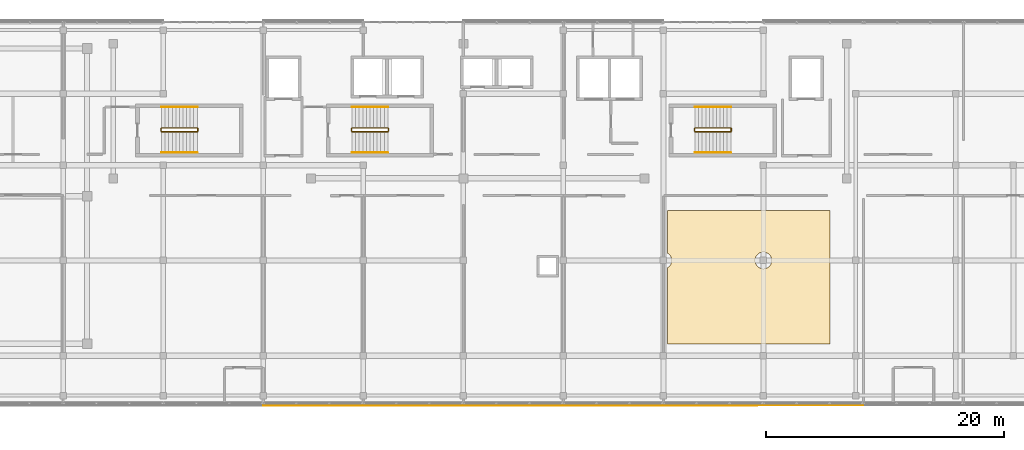
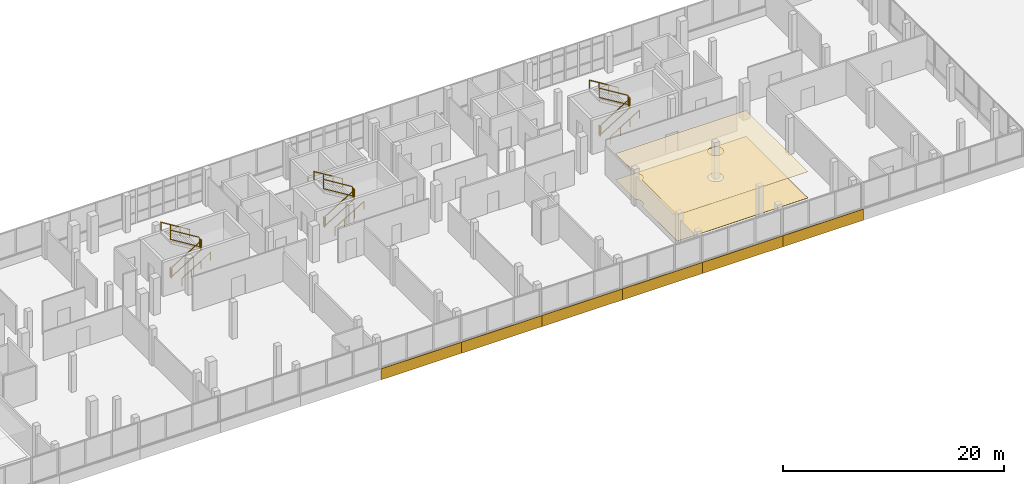
# One storey, part 64 of 66: 18 railings, 8 coverings.
"""IFC4 building model written with IfcOpenShell, lengths in metres."""

from ifc_helpers import new_model, si_unit, direction, frame, origin, origin_2d, place, context, subcontext, project, spatial, polyline, rectangle, circle, outline, extrude, material, layer, layer_set, type_object, element, save


model = new_model("IFC4")

# Units and contexts
model_context = context("Model", 3, precision=1e-05, world=origin(), true_north=direction((0.0, 1.0)))
body_context = subcontext(model_context, "Body", "Model", "MODEL_VIEW")
ifc_project = project(units=[si_unit("LENGTHUNIT", "METRE"), si_unit("AREAUNIT", "SQUARE_METRE"), si_unit("VOLUMEUNIT", "CUBIC_METRE"), si_unit("PLANEANGLEUNIT", "RADIAN"), si_unit("MASSUNIT", "GRAM", prefix="KILO")], contexts=[model_context])

# Site, building, storey
site_placement = place(None, origin())
site = spatial("IfcSite", under=ifc_project, at=site_placement, CompositionType="ELEMENT")
building_placement = place(site_placement, origin())
building = spatial("IfcBuilding", under=site, at=building_placement, Name="Selatvlak General Hospital", CompositionType="ELEMENT")
storey_placement = place(building_placement, frame((0.0, 0.0, 31.35009765625)))
storey = spatial("IfcBuildingStorey", under=building, at=storey_placement, Name="L07", CompositionType="ELEMENT", Elevation=31.35009765625)

# Coverings
ifc_material_1 = material(Name="Acoustic mineral fibre ceiling tile")
ifc_layer_1 = layer(ifc_material_1, 0.02490234375, Name="Acoustic mineral fibre ceiling tile")
ifc_layer_set_1 = layer_set([ifc_layer_1], Name="Acoustic mineral fibre ceiling tile")
covering_type_1 = type_object("IfcCoveringType", Name="COV-CEIL1", PredefinedType="CEILING", material=ifc_layer_set_1)
covering_1_placement = place(storey_placement, frame((0.0, 0.0, 2.885009765625)))
element("IfcCovering", 1, at=covering_1_placement, inside=storey, type_object=covering_type_1, Name="L07 clinical acoustic ceiling 016", PredefinedType="CEILING", context=body_context, shape_type="SweptSolid", body=[
    extrude(outline(polyline([(146.0, 104.199951171875), (146.0, 93.0), (132.35009765625, 93.0), (132.35009765625, 99.39501953125), (132.388916015625, 99.41796875), (132.444091796875, 99.458984375), (132.4951171875, 99.5048828125), (132.541015625, 99.555908203125), (132.58203125, 99.611083984375), (132.616943359375, 99.669921875), (132.64697265625, 99.73193359375), (132.669921875, 99.797119140625), (132.68701171875, 99.863037109375), (132.697021484375, 99.930908203125), (132.699951171875, 100.0), (132.697021484375, 100.069091796875), (132.68701171875, 100.136962890625), (132.669921875, 100.202880859375), (132.64697265625, 100.26806640625), (132.616943359375, 100.330078125), (132.58203125, 100.388916015625), (132.541015625, 100.444091796875), (132.4951171875, 100.4951171875), (132.444091796875, 100.541015625), (132.388916015625, 100.58203125), (132.35009765625, 100.60498046875), (132.35009765625, 104.199951171875), (146.0, 104.199951171875)]), holes=[polyline([(140.94091796875, 99.555908203125), (140.98193359375, 99.611083984375), (141.01708984375, 99.669921875), (141.047119140625, 99.73193359375), (141.070068359375, 99.797119140625), (141.0869140625, 99.863037109375), (141.096923828125, 99.930908203125), (141.10009765625, 100.0), (141.096923828125, 100.069091796875), (141.0869140625, 100.136962890625), (141.070068359375, 100.202880859375), (141.047119140625, 100.26806640625), (141.01708984375, 100.330078125), (140.98193359375, 100.388916015625), (140.94091796875, 100.444091796875), (140.89501953125, 100.4951171875), (140.843994140625, 100.541015625), (140.7890625, 100.58203125), (140.72998046875, 100.616943359375), (140.66796875, 100.64697265625), (140.60302734375, 100.669921875), (140.537109375, 100.68701171875), (140.468994140625, 100.697021484375), (140.39990234375, 100.699951171875), (140.3310546875, 100.697021484375), (140.262939453125, 100.68701171875), (140.197021484375, 100.669921875), (140.132080078125, 100.64697265625), (140.070068359375, 100.616943359375), (140.010986328125, 100.58203125), (139.9560546875, 100.541015625), (139.905029296875, 100.4951171875), (139.85888671875, 100.444091796875), (139.818115234375, 100.388916015625), (139.782958984375, 100.330078125), (139.7529296875, 100.26806640625), (139.72998046875, 100.202880859375), (139.712890625, 100.136962890625), (139.702880859375, 100.069091796875), (139.699951171875, 100.0), (139.702880859375, 99.930908203125), (139.712890625, 99.863037109375), (139.72998046875, 99.797119140625), (139.7529296875, 99.73193359375), (139.782958984375, 99.669921875), (139.818115234375, 99.611083984375), (139.85888671875, 99.555908203125), (139.905029296875, 99.5048828125), (139.9560546875, 99.458984375), (140.010986328125, 99.41796875), (140.070068359375, 99.383056640625), (140.132080078125, 99.35302734375), (140.197021484375, 99.330078125), (140.262939453125, 99.31298828125), (140.3310546875, 99.302978515625), (140.39990234375, 99.300048828125), (140.468994140625, 99.302978515625), (140.537109375, 99.31298828125), (140.60302734375, 99.330078125), (140.66796875, 99.35302734375), (140.72998046875, 99.383056640625), (140.7890625, 99.41796875), (140.843994140625, 99.458984375), (140.89501953125, 99.5048828125), (140.94091796875, 99.555908203125)])]), origin(), (0.0, 0.0, 1.0), 0.02490234375),
])
ifc_material_2 = material(Name="Homogeneous anti-static hospital vinyl flooring")
ifc_layer_2 = layer(ifc_material_2, 0.014892578125, Name="Homogeneous anti-static hospital vinyl flooring")
ifc_layer_set_2 = layer_set([ifc_layer_2], Name="Homogeneous anti-static hospital vinyl flooring")
covering_type_2 = type_object("IfcCoveringType", Name="COV-FLR1", PredefinedType="FLOORING", material=ifc_layer_set_2)
covering_2_placement = place(storey_placement, origin())
element("IfcCovering", 2, at=covering_2_placement, inside=storey, type_object=covering_type_2, Name="L07 seamless vinyl flooring 016", PredefinedType="FLOORING", context=body_context, shape_type="SweptSolid", body=[
    extrude(outline(polyline([(146.0, 104.199951171875), (146.0, 93.0), (132.35009765625, 93.0), (132.35009765625, 99.39501953125), (132.388916015625, 99.41796875), (132.444091796875, 99.458984375), (132.4951171875, 99.5048828125), (132.541015625, 99.555908203125), (132.58203125, 99.611083984375), (132.616943359375, 99.669921875), (132.64697265625, 99.73193359375), (132.669921875, 99.797119140625), (132.68701171875, 99.863037109375), (132.697021484375, 99.930908203125), (132.699951171875, 100.0), (132.697021484375, 100.069091796875), (132.68701171875, 100.136962890625), (132.669921875, 100.202880859375), (132.64697265625, 100.26806640625), (132.616943359375, 100.330078125), (132.58203125, 100.388916015625), (132.541015625, 100.444091796875), (132.4951171875, 100.4951171875), (132.444091796875, 100.541015625), (132.388916015625, 100.58203125), (132.35009765625, 100.60498046875), (132.35009765625, 104.199951171875), (146.0, 104.199951171875)]), holes=[polyline([(140.94091796875, 99.555908203125), (140.98193359375, 99.611083984375), (141.01708984375, 99.669921875), (141.047119140625, 99.73193359375), (141.070068359375, 99.797119140625), (141.0869140625, 99.863037109375), (141.096923828125, 99.930908203125), (141.10009765625, 100.0), (141.096923828125, 100.069091796875), (141.0869140625, 100.136962890625), (141.070068359375, 100.202880859375), (141.047119140625, 100.26806640625), (141.01708984375, 100.330078125), (140.98193359375, 100.388916015625), (140.94091796875, 100.444091796875), (140.89501953125, 100.4951171875), (140.843994140625, 100.541015625), (140.7890625, 100.58203125), (140.72998046875, 100.616943359375), (140.66796875, 100.64697265625), (140.60302734375, 100.669921875), (140.537109375, 100.68701171875), (140.468994140625, 100.697021484375), (140.39990234375, 100.699951171875), (140.3310546875, 100.697021484375), (140.262939453125, 100.68701171875), (140.197021484375, 100.669921875), (140.132080078125, 100.64697265625), (140.070068359375, 100.616943359375), (140.010986328125, 100.58203125), (139.9560546875, 100.541015625), (139.905029296875, 100.4951171875), (139.85888671875, 100.444091796875), (139.818115234375, 100.388916015625), (139.782958984375, 100.330078125), (139.7529296875, 100.26806640625), (139.72998046875, 100.202880859375), (139.712890625, 100.136962890625), (139.702880859375, 100.069091796875), (139.699951171875, 100.0), (139.702880859375, 99.930908203125), (139.712890625, 99.863037109375), (139.72998046875, 99.797119140625), (139.7529296875, 99.73193359375), (139.782958984375, 99.669921875), (139.818115234375, 99.611083984375), (139.85888671875, 99.555908203125), (139.905029296875, 99.5048828125), (139.9560546875, 99.458984375), (140.010986328125, 99.41796875), (140.070068359375, 99.383056640625), (140.132080078125, 99.35302734375), (140.197021484375, 99.330078125), (140.262939453125, 99.31298828125), (140.3310546875, 99.302978515625), (140.39990234375, 99.300048828125), (140.468994140625, 99.302978515625), (140.537109375, 99.31298828125), (140.60302734375, 99.330078125), (140.66796875, 99.35302734375), (140.72998046875, 99.383056640625), (140.7890625, 99.41796875), (140.843994140625, 99.458984375), (140.89501953125, 99.5048828125), (140.94091796875, 99.555908203125)])]), origin(), (0.0, 0.0, 1.0), 0.014892578125),
])
ifc_material_3 = material(Name="White Bauhaus fair-faced cladding panel")
ifc_layer_3 = layer(ifc_material_3, 0.054931640625, Name="White Bauhaus fair-faced cladding panel")
ifc_layer_set_3 = layer_set([ifc_layer_3], Name="White Bauhaus fair-faced cladding panel")
covering_type_3 = type_object("IfcCoveringType", Name="COV-WHT1", PredefinedType="CLADDING", material=ifc_layer_set_3)
for number, where, z_axis, x_axis, name in (
    (3, (144.60009765625, 87.8359375, -0.2802734375), (0.0, 0.0, 1.0), (-1.0, 0.0, 0.0), "L07 Bauhaus horizontal white spandrel band 0519"),
    (4, (136.199951171875, 87.8359375, -0.2802734375), (0.0, 0.0, 1.0), (-1.0, 0.0, 0.0), "L07 Bauhaus horizontal white spandrel band 0520"),
    (5, (127.800048828125, 87.8359375, -0.2802734375), (0.0, 0.0, 1.0), (-1.0, 0.0, 0.0), "L07 Bauhaus horizontal white spandrel band 0521"),
    (6, (119.39990234375, 87.8359375, -0.2802734375), (0.0, 0.0, 1.0), (-1.0, 0.0, 0.0), "L07 Bauhaus horizontal white spandrel band 0522"),
    (7, (111.0, 87.8359375, -0.2802734375), (0.0, 0.0, 1.0), (-1.0, 0.0, 0.0), "L07 Bauhaus horizontal white spandrel band 0523"),
    (8, (102.60009765625, 87.8359375, -0.2802734375), (0.0, 0.0, 1.0), (-1.0, 0.0, 0.0), "L07 Bauhaus horizontal white spandrel band 0524"),
):
    element("IfcCovering", number, at=place(storey_placement, frame(where, z_axis=z_axis, x_axis=x_axis)), inside=storey, type_object=covering_type_3, Name=name, PredefinedType="CLADDING", context=body_context, shape_type="SweptSolid", body=[
        extrude(rectangle(XDim=8.39990234375, YDim=0.054931640625, at=origin_2d()), origin(), (0.0, 0.0, 1.0), 1.219970703125),
    ])

# Railings
ifc_material_4 = material(Name="Stainless steel 316 stair guard", Category="steel")
railing_type_1 = type_object("IfcRailingType", Name="RAIL-STG", PredefinedType="GUARDRAIL", material=ifc_material_4)
railing_1_placement = place(storey_placement, frame((89.860107421875, 110.81005859375, 0.18408203125)))
element("IfcRailing", 9, at=railing_1_placement, inside=storey, type_object=railing_type_1, Name="L07 ST-02 stair guard 1", PredefinedType="GUARDRAIL", context=body_context, shape_type="SweptSolid", body=[
    extrude(rectangle(XDim=0.068115234375, YDim=0.068115234375, at=origin_2d()), frame((0.00244140625, 0.0, 1.067626953125), z_axis=(0.852333972304, 0.0, 0.522997896417), x_axis=(0.0, 1.0, 0.0)), (0.0, 0.0, 1.0), 3.513916015625),
    extrude(rectangle(XDim=0.068115234375, YDim=0.068115234375, at=origin_2d()), frame((0.00244140625, 0.0, 0.050537109375), z_axis=(0.852333972304, 0.0, 0.522997896417), x_axis=(0.0, 1.0, 0.0)), (0.0, 0.0, 1.0), 3.513916015625),
    extrude(rectangle(XDim=0.055908203125, YDim=0.055908203125, at=origin_2d()), origin(), (0.0, 0.0, 1.0), 1.029052734375),
    extrude(rectangle(XDim=0.055908203125, YDim=0.055908203125, at=origin_2d()), frame((3.0, 0.0, 1.8408203125)), (0.0, 0.0, 1.0), 1.029052734375),
])
railing_2_placement = place(storey_placement, frame((92.909912109375, 110.860107421875, 2.02490234375)))
element("IfcRailing", 10, at=railing_2_placement, inside=storey, type_object=railing_type_1, Name="L07 ST-02 stair guard 2", PredefinedType="GUARDRAIL", context=body_context, shape_type="SweptSolid", body=[
    extrude(rectangle(XDim=0.068115234375, YDim=0.068115234375, at=origin_2d()), frame((0.0, 0.0029296875, 1.06591796875), z_axis=(0.0, 1.0, 0.0), x_axis=(-1.0, 0.0, 0.0)), (0.0, 0.0, 1.0), 0.214111328125),
    extrude(rectangle(XDim=0.068115234375, YDim=0.068115234375, at=origin_2d()), frame((0.0, 0.0029296875, 0.049072265625), z_axis=(0.0, 1.0, 0.0), x_axis=(-1.0, 0.0, 0.0)), (0.0, 0.0, 1.0), 0.214111328125),
    extrude(rectangle(XDim=0.055908203125, YDim=0.055908203125, at=origin_2d()), origin(), (0.0, 0.0, 1.0), 1.029052734375),
    extrude(rectangle(XDim=0.055908203125, YDim=0.055908203125, at=origin_2d()), frame((0.0, 0.219970703125, 0.0)), (0.0, 0.0, 1.0), 1.029052734375),
])
railing_3_placement = place(storey_placement, frame((92.860107421875, 111.1298828125, 2.208984375)))
element("IfcRailing", 11, at=railing_3_placement, inside=storey, type_object=railing_type_1, Name="L07 ST-02 stair guard 3", PredefinedType="GUARDRAIL", context=body_context, shape_type="SweptSolid", body=[
    extrude(rectangle(XDim=0.068115234375, YDim=0.068115234375, at=origin_2d()), frame((-0.00244140625, 0.0, 1.067626953125), z_axis=(-0.852333972304, 0.0, 0.522997896417), x_axis=(0.0, -1.0, 0.0)), (0.0, 0.0, 1.0), 3.513916015625),
    extrude(rectangle(XDim=0.068115234375, YDim=0.068115234375, at=origin_2d()), frame((-0.00244140625, 0.0, 0.050537109375), z_axis=(-0.852333972304, 0.0, 0.522997896417), x_axis=(0.0, -1.0, 0.0)), (0.0, 0.0, 1.0), 3.513916015625),
    extrude(rectangle(XDim=0.055908203125, YDim=0.055908203125, at=origin_2d()), origin(), (0.0, 0.0, 1.0), 1.029052734375),
    extrude(rectangle(XDim=0.055908203125, YDim=0.055908203125, at=origin_2d()), frame((-3.0, 0.0, 1.8408203125)), (0.0, 0.0, 1.0), 1.029052734375),
])
railing_4_placement = place(storey_placement, frame((89.81005859375, 110.860107421875, 0.0)))
element("IfcRailing", 12, at=railing_4_placement, inside=storey, type_object=railing_type_1, Name="L07 ST-02 stair guard 4", PredefinedType="GUARDRAIL", context=body_context, shape_type="SweptSolid", body=[
    extrude(rectangle(XDim=0.068115234375, YDim=0.068115234375, at=origin_2d()), frame((0.0, 0.0029296875, 1.06591796875), z_axis=(0.0, 1.0, 0.0), x_axis=(-1.0, 0.0, 0.0)), (0.0, 0.0, 1.0), 0.214111328125),
    extrude(rectangle(XDim=0.068115234375, YDim=0.068115234375, at=origin_2d()), frame((0.0, 0.0029296875, 0.049072265625), z_axis=(0.0, 1.0, 0.0), x_axis=(-1.0, 0.0, 0.0)), (0.0, 0.0, 1.0), 0.214111328125),
    extrude(rectangle(XDim=0.055908203125, YDim=0.055908203125, at=origin_2d()), origin(), (0.0, 0.0, 1.0), 1.029052734375),
    extrude(rectangle(XDim=0.055908203125, YDim=0.055908203125, at=origin_2d()), frame((0.0, 0.219970703125, 0.0)), (0.0, 0.0, 1.0), 1.029052734375),
])
railing_5_placement = place(storey_placement, frame((105.860107421875, 110.81005859375, 0.18408203125)))
element("IfcRailing", 13, at=railing_5_placement, inside=storey, type_object=railing_type_1, Name="L07 ST-03 stair guard 1", PredefinedType="GUARDRAIL", context=body_context, shape_type="SweptSolid", body=[
    extrude(rectangle(XDim=0.068115234375, YDim=0.068115234375, at=origin_2d()), frame((0.00244140625, 0.0, 1.067626953125), z_axis=(0.852333972304, 0.0, 0.522997896417), x_axis=(0.0, 1.0, 0.0)), (0.0, 0.0, 1.0), 3.513916015625),
    extrude(rectangle(XDim=0.068115234375, YDim=0.068115234375, at=origin_2d()), frame((0.00244140625, 0.0, 0.050537109375), z_axis=(0.852333972304, 0.0, 0.522997896417), x_axis=(0.0, 1.0, 0.0)), (0.0, 0.0, 1.0), 3.513916015625),
    extrude(rectangle(XDim=0.055908203125, YDim=0.055908203125, at=origin_2d()), origin(), (0.0, 0.0, 1.0), 1.029052734375),
    extrude(rectangle(XDim=0.055908203125, YDim=0.055908203125, at=origin_2d()), frame((3.0, 0.0, 1.8408203125)), (0.0, 0.0, 1.0), 1.029052734375),
])
railing_6_placement = place(storey_placement, frame((108.909912109375, 110.860107421875, 2.02490234375)))
element("IfcRailing", 14, at=railing_6_placement, inside=storey, type_object=railing_type_1, Name="L07 ST-03 stair guard 2", PredefinedType="GUARDRAIL", context=body_context, shape_type="SweptSolid", body=[
    extrude(rectangle(XDim=0.068115234375, YDim=0.068115234375, at=origin_2d()), frame((0.0, 0.0029296875, 1.06591796875), z_axis=(0.0, 1.0, 0.0), x_axis=(-1.0, 0.0, 0.0)), (0.0, 0.0, 1.0), 0.214111328125),
    extrude(rectangle(XDim=0.068115234375, YDim=0.068115234375, at=origin_2d()), frame((0.0, 0.0029296875, 0.049072265625), z_axis=(0.0, 1.0, 0.0), x_axis=(-1.0, 0.0, 0.0)), (0.0, 0.0, 1.0), 0.214111328125),
    extrude(rectangle(XDim=0.055908203125, YDim=0.055908203125, at=origin_2d()), origin(), (0.0, 0.0, 1.0), 1.029052734375),
    extrude(rectangle(XDim=0.055908203125, YDim=0.055908203125, at=origin_2d()), frame((0.0, 0.219970703125, 0.0)), (0.0, 0.0, 1.0), 1.029052734375),
])
railing_7_placement = place(storey_placement, frame((108.860107421875, 111.1298828125, 2.208984375)))
element("IfcRailing", 15, at=railing_7_placement, inside=storey, type_object=railing_type_1, Name="L07 ST-03 stair guard 3", PredefinedType="GUARDRAIL", context=body_context, shape_type="SweptSolid", body=[
    extrude(rectangle(XDim=0.068115234375, YDim=0.068115234375, at=origin_2d()), frame((-0.00244140625, 0.0, 1.067626953125), z_axis=(-0.852333972304, 0.0, 0.522997896417), x_axis=(0.0, -1.0, 0.0)), (0.0, 0.0, 1.0), 3.513916015625),
    extrude(rectangle(XDim=0.068115234375, YDim=0.068115234375, at=origin_2d()), frame((-0.00244140625, 0.0, 0.050537109375), z_axis=(-0.852333972304, 0.0, 0.522997896417), x_axis=(0.0, -1.0, 0.0)), (0.0, 0.0, 1.0), 3.513916015625),
    extrude(rectangle(XDim=0.055908203125, YDim=0.055908203125, at=origin_2d()), origin(), (0.0, 0.0, 1.0), 1.029052734375),
    extrude(rectangle(XDim=0.055908203125, YDim=0.055908203125, at=origin_2d()), frame((-3.0, 0.0, 1.8408203125)), (0.0, 0.0, 1.0), 1.029052734375),
])
railing_8_placement = place(storey_placement, frame((105.81005859375, 110.860107421875, 0.0)))
element("IfcRailing", 16, at=railing_8_placement, inside=storey, type_object=railing_type_1, Name="L07 ST-03 stair guard 4", PredefinedType="GUARDRAIL", context=body_context, shape_type="SweptSolid", body=[
    extrude(rectangle(XDim=0.068115234375, YDim=0.068115234375, at=origin_2d()), frame((0.0, 0.0029296875, 1.06591796875), z_axis=(0.0, 1.0, 0.0), x_axis=(-1.0, 0.0, 0.0)), (0.0, 0.0, 1.0), 0.214111328125),
    extrude(rectangle(XDim=0.068115234375, YDim=0.068115234375, at=origin_2d()), frame((0.0, 0.0029296875, 0.049072265625), z_axis=(0.0, 1.0, 0.0), x_axis=(-1.0, 0.0, 0.0)), (0.0, 0.0, 1.0), 0.214111328125),
    extrude(rectangle(XDim=0.055908203125, YDim=0.055908203125, at=origin_2d()), origin(), (0.0, 0.0, 1.0), 1.029052734375),
    extrude(rectangle(XDim=0.055908203125, YDim=0.055908203125, at=origin_2d()), frame((0.0, 0.219970703125, 0.0)), (0.0, 0.0, 1.0), 1.029052734375),
])
railing_9_placement = place(storey_placement, frame((134.659912109375, 110.81005859375, 0.18408203125)))
element("IfcRailing", 17, at=railing_9_placement, inside=storey, type_object=railing_type_1, Name="L07 ST-04 stair guard 1", PredefinedType="GUARDRAIL", context=body_context, shape_type="SweptSolid", body=[
    extrude(rectangle(XDim=0.068115234375, YDim=0.068115234375, at=origin_2d()), frame((0.00244140625, 0.0, 1.067626953125), z_axis=(0.852333972304, 0.0, 0.522997896417), x_axis=(0.0, 1.0, 0.0)), (0.0, 0.0, 1.0), 3.513916015625),
    extrude(rectangle(XDim=0.068115234375, YDim=0.068115234375, at=origin_2d()), frame((0.00244140625, 0.0, 0.050537109375), z_axis=(0.852333972304, 0.0, 0.522997896417), x_axis=(0.0, 1.0, 0.0)), (0.0, 0.0, 1.0), 3.513916015625),
    extrude(rectangle(XDim=0.055908203125, YDim=0.055908203125, at=origin_2d()), origin(), (0.0, 0.0, 1.0), 1.029052734375),
    extrude(rectangle(XDim=0.055908203125, YDim=0.055908203125, at=origin_2d()), frame((3.0, 0.0, 1.8408203125)), (0.0, 0.0, 1.0), 1.029052734375),
])
railing_10_placement = place(storey_placement, frame((137.7099609375, 110.860107421875, 2.02490234375)))
element("IfcRailing", 18, at=railing_10_placement, inside=storey, type_object=railing_type_1, Name="L07 ST-04 stair guard 2", PredefinedType="GUARDRAIL", context=body_context, shape_type="SweptSolid", body=[
    extrude(rectangle(XDim=0.068115234375, YDim=0.068115234375, at=origin_2d()), frame((0.0, 0.0029296875, 1.06591796875), z_axis=(0.0, 1.0, 0.0), x_axis=(-1.0, 0.0, 0.0)), (0.0, 0.0, 1.0), 0.214111328125),
    extrude(rectangle(XDim=0.068115234375, YDim=0.068115234375, at=origin_2d()), frame((0.0, 0.0029296875, 0.049072265625), z_axis=(0.0, 1.0, 0.0), x_axis=(-1.0, 0.0, 0.0)), (0.0, 0.0, 1.0), 0.214111328125),
    extrude(rectangle(XDim=0.055908203125, YDim=0.055908203125, at=origin_2d()), origin(), (0.0, 0.0, 1.0), 1.029052734375),
    extrude(rectangle(XDim=0.055908203125, YDim=0.055908203125, at=origin_2d()), frame((0.0, 0.219970703125, 0.0)), (0.0, 0.0, 1.0), 1.029052734375),
])
railing_11_placement = place(storey_placement, frame((137.659912109375, 111.1298828125, 2.208984375)))
element("IfcRailing", 19, at=railing_11_placement, inside=storey, type_object=railing_type_1, Name="L07 ST-04 stair guard 3", PredefinedType="GUARDRAIL", context=body_context, shape_type="SweptSolid", body=[
    extrude(rectangle(XDim=0.068115234375, YDim=0.068115234375, at=origin_2d()), frame((-0.00244140625, 0.0, 1.067626953125), z_axis=(-0.852333972304, 0.0, 0.522997896417), x_axis=(0.0, -1.0, 0.0)), (0.0, 0.0, 1.0), 3.513916015625),
    extrude(rectangle(XDim=0.068115234375, YDim=0.068115234375, at=origin_2d()), frame((-0.00244140625, 0.0, 0.050537109375), z_axis=(-0.852333972304, 0.0, 0.522997896417), x_axis=(0.0, -1.0, 0.0)), (0.0, 0.0, 1.0), 3.513916015625),
    extrude(rectangle(XDim=0.055908203125, YDim=0.055908203125, at=origin_2d()), origin(), (0.0, 0.0, 1.0), 1.029052734375),
    extrude(rectangle(XDim=0.055908203125, YDim=0.055908203125, at=origin_2d()), frame((-3.0, 0.0, 1.8408203125)), (0.0, 0.0, 1.0), 1.029052734375),
])
railing_12_placement = place(storey_placement, frame((134.610107421875, 110.860107421875, 0.0)))
element("IfcRailing", 20, at=railing_12_placement, inside=storey, type_object=railing_type_1, Name="L07 ST-04 stair guard 4", PredefinedType="GUARDRAIL", context=body_context, shape_type="SweptSolid", body=[
    extrude(rectangle(XDim=0.068115234375, YDim=0.068115234375, at=origin_2d()), frame((0.0, 0.0029296875, 1.06591796875), z_axis=(0.0, 1.0, 0.0), x_axis=(-1.0, 0.0, 0.0)), (0.0, 0.0, 1.0), 0.214111328125),
    extrude(rectangle(XDim=0.068115234375, YDim=0.068115234375, at=origin_2d()), frame((0.0, 0.0029296875, 0.049072265625), z_axis=(0.0, 1.0, 0.0), x_axis=(-1.0, 0.0, 0.0)), (0.0, 0.0, 1.0), 0.214111328125),
    extrude(rectangle(XDim=0.055908203125, YDim=0.055908203125, at=origin_2d()), origin(), (0.0, 0.0, 1.0), 1.029052734375),
    extrude(rectangle(XDim=0.055908203125, YDim=0.055908203125, at=origin_2d()), frame((0.0, 0.219970703125, 0.0)), (0.0, 0.0, 1.0), 1.029052734375),
])
ifc_material_5 = material(Name="Stainless steel 316 handrail", Category="steel")
railing_type_2 = type_object("IfcRailingType", Name="RAIL-STH", PredefinedType="HANDRAIL", material=ifc_material_5)
railing_13_placement = place(storey_placement, frame((89.860107421875, 109.050048828125, 0.18408203125)))
element("IfcRailing", 21, at=railing_13_placement, inside=storey, type_object=railing_type_2, Name="L07 ST-02 stair handrail 1", PredefinedType="HANDRAIL", context=body_context, shape_type="SweptSolid", body=[
    extrude(circle(Radius=0.02392578125, at=origin_2d()), frame((0.00244140625, 0.0, 0.87744140625), z_axis=(0.852333972304, 0.0, 0.522997896417), x_axis=(0.0, 1.0, 0.0)), (0.0, 0.0, 1.0), 3.513916015625),
    extrude(circle(Radius=0.02099609375, at=origin_2d()), origin(), (0.0, 0.0, 1.0), 0.848876953125),
    extrude(circle(Radius=0.02099609375, at=origin_2d()), frame((1.0, 0.0, 0.613525390625)), (0.0, 0.0, 1.0), 0.848876953125),
    extrude(circle(Radius=0.02099609375, at=origin_2d()), frame((2.0, 0.0, 1.227294921875)), (0.0, 0.0, 1.0), 0.848876953125),
    extrude(circle(Radius=0.02099609375, at=origin_2d()), frame((3.0, 0.0, 1.8408203125)), (0.0, 0.0, 1.0), 0.848876953125),
])
railing_14_placement = place(storey_placement, frame((92.860107421875, 112.889892578125, 2.208984375)))
element("IfcRailing", 22, at=railing_14_placement, inside=storey, type_object=railing_type_2, Name="L07 ST-02 stair handrail 2", PredefinedType="HANDRAIL", context=body_context, shape_type="SweptSolid", body=[
    extrude(circle(Radius=0.02392578125, at=origin_2d()), frame((-0.00244140625, 0.0, 0.87744140625), z_axis=(-0.852333972304, 0.0, 0.522997896417), x_axis=(0.0, -1.0, 0.0)), (0.0, 0.0, 1.0), 3.513916015625),
    extrude(circle(Radius=0.02099609375, at=origin_2d()), origin(), (0.0, 0.0, 1.0), 0.848876953125),
    extrude(circle(Radius=0.02099609375, at=origin_2d()), frame((-1.0, 0.0, 0.613525390625)), (0.0, 0.0, 1.0), 0.848876953125),
    extrude(circle(Radius=0.02099609375, at=origin_2d()), frame((-2.0, 0.0, 1.227294921875)), (0.0, 0.0, 1.0), 0.848876953125),
    extrude(circle(Radius=0.02099609375, at=origin_2d()), frame((-3.0, 0.0, 1.8408203125)), (0.0, 0.0, 1.0), 0.848876953125),
])
railing_15_placement = place(storey_placement, frame((105.860107421875, 109.050048828125, 0.18408203125)))
element("IfcRailing", 23, at=railing_15_placement, inside=storey, type_object=railing_type_2, Name="L07 ST-03 stair handrail 1", PredefinedType="HANDRAIL", context=body_context, shape_type="SweptSolid", body=[
    extrude(circle(Radius=0.02392578125, at=origin_2d()), frame((0.00244140625, 0.0, 0.87744140625), z_axis=(0.852333972304, 0.0, 0.522997896417), x_axis=(0.0, 1.0, 0.0)), (0.0, 0.0, 1.0), 3.513916015625),
    extrude(circle(Radius=0.02099609375, at=origin_2d()), origin(), (0.0, 0.0, 1.0), 0.848876953125),
    extrude(circle(Radius=0.02099609375, at=origin_2d()), frame((1.0, 0.0, 0.613525390625)), (0.0, 0.0, 1.0), 0.848876953125),
    extrude(circle(Radius=0.02099609375, at=origin_2d()), frame((2.0, 0.0, 1.227294921875)), (0.0, 0.0, 1.0), 0.848876953125),
    extrude(circle(Radius=0.02099609375, at=origin_2d()), frame((3.0, 0.0, 1.8408203125)), (0.0, 0.0, 1.0), 0.848876953125),
])
railing_16_placement = place(storey_placement, frame((108.860107421875, 112.889892578125, 2.208984375)))
element("IfcRailing", 24, at=railing_16_placement, inside=storey, type_object=railing_type_2, Name="L07 ST-03 stair handrail 2", PredefinedType="HANDRAIL", context=body_context, shape_type="SweptSolid", body=[
    extrude(circle(Radius=0.02392578125, at=origin_2d()), frame((-0.00244140625, 0.0, 0.87744140625), z_axis=(-0.852333972304, 0.0, 0.522997896417), x_axis=(0.0, -1.0, 0.0)), (0.0, 0.0, 1.0), 3.513916015625),
    extrude(circle(Radius=0.02099609375, at=origin_2d()), origin(), (0.0, 0.0, 1.0), 0.848876953125),
    extrude(circle(Radius=0.02099609375, at=origin_2d()), frame((-1.0, 0.0, 0.613525390625)), (0.0, 0.0, 1.0), 0.848876953125),
    extrude(circle(Radius=0.02099609375, at=origin_2d()), frame((-2.0, 0.0, 1.227294921875)), (0.0, 0.0, 1.0), 0.848876953125),
    extrude(circle(Radius=0.02099609375, at=origin_2d()), frame((-3.0, 0.0, 1.8408203125)), (0.0, 0.0, 1.0), 0.848876953125),
])
railing_17_placement = place(storey_placement, frame((134.659912109375, 109.050048828125, 0.18408203125)))
element("IfcRailing", 25, at=railing_17_placement, inside=storey, type_object=railing_type_2, Name="L07 ST-04 stair handrail 1", PredefinedType="HANDRAIL", context=body_context, shape_type="SweptSolid", body=[
    extrude(circle(Radius=0.02392578125, at=origin_2d()), frame((0.00244140625, 0.0, 0.87744140625), z_axis=(0.852333972304, 0.0, 0.522997896417), x_axis=(0.0, 1.0, 0.0)), (0.0, 0.0, 1.0), 3.513916015625),
    extrude(circle(Radius=0.02099609375, at=origin_2d()), origin(), (0.0, 0.0, 1.0), 0.848876953125),
    extrude(circle(Radius=0.02099609375, at=origin_2d()), frame((1.0, 0.0, 0.613525390625)), (0.0, 0.0, 1.0), 0.848876953125),
    extrude(circle(Radius=0.02099609375, at=origin_2d()), frame((2.0, 0.0, 1.227294921875)), (0.0, 0.0, 1.0), 0.848876953125),
    extrude(circle(Radius=0.02099609375, at=origin_2d()), frame((3.0, 0.0, 1.8408203125)), (0.0, 0.0, 1.0), 0.848876953125),
])
railing_18_placement = place(storey_placement, frame((137.659912109375, 112.889892578125, 2.208984375)))
element("IfcRailing", 26, at=railing_18_placement, inside=storey, type_object=railing_type_2, Name="L07 ST-04 stair handrail 2", PredefinedType="HANDRAIL", context=body_context, shape_type="SweptSolid", body=[
    extrude(circle(Radius=0.02392578125, at=origin_2d()), frame((-0.00244140625, 0.0, 0.87744140625), z_axis=(-0.852333972304, 0.0, 0.522997896417), x_axis=(0.0, -1.0, 0.0)), (0.0, 0.0, 1.0), 3.513916015625),
    extrude(circle(Radius=0.02099609375, at=origin_2d()), origin(), (0.0, 0.0, 1.0), 0.848876953125),
    extrude(circle(Radius=0.02099609375, at=origin_2d()), frame((-1.0, 0.0, 0.613525390625)), (0.0, 0.0, 1.0), 0.848876953125),
    extrude(circle(Radius=0.02099609375, at=origin_2d()), frame((-2.0, 0.0, 1.227294921875)), (0.0, 0.0, 1.0), 0.848876953125),
    extrude(circle(Radius=0.02099609375, at=origin_2d()), frame((-3.0, 0.0, 1.8408203125)), (0.0, 0.0, 1.0), 0.848876953125),
])

save(model, "model.ifc")
